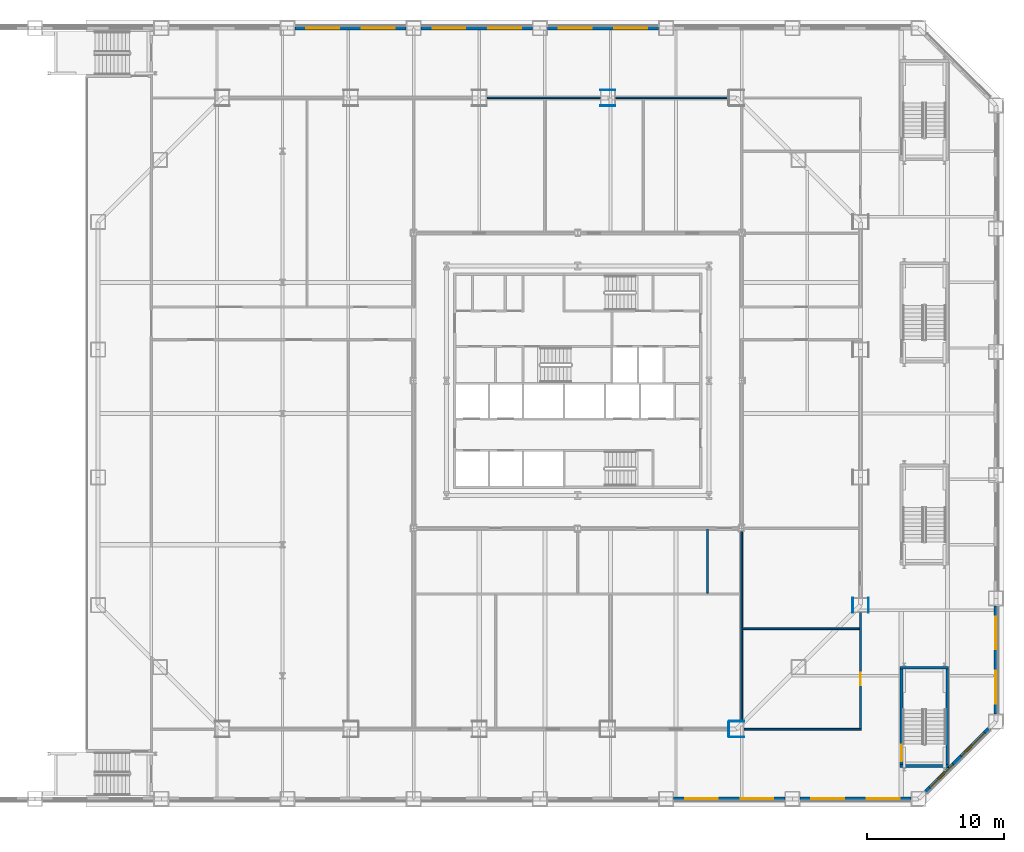
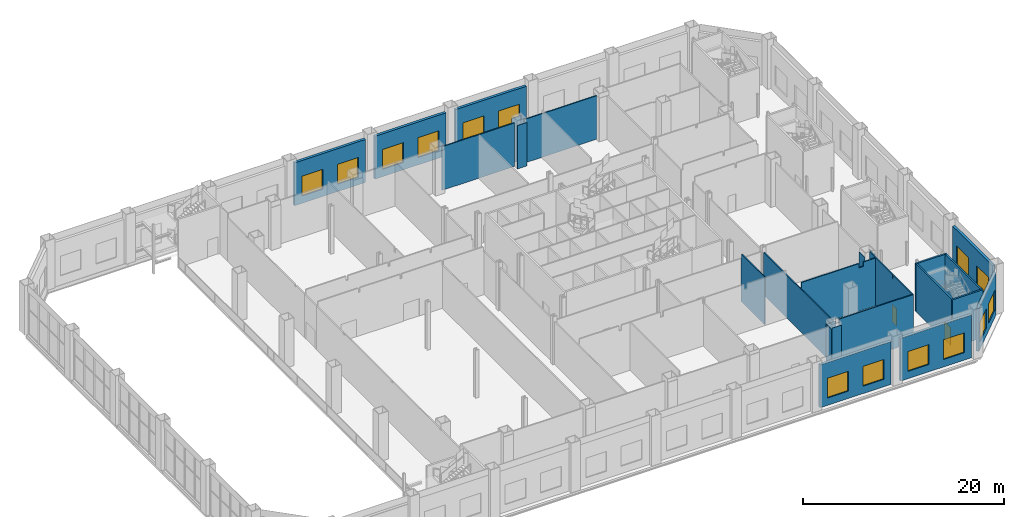
# One storey, part 20 of 31: 25 walls, 14 windows, 2 doors, 16 openings.
"""IFC4 building model written with IfcOpenShell, lengths in metres."""

from ifc_helpers import new_model, si_unit, direction, frame, frame_2d, origin, place, context, subcontext, project, spatial, polyline, rectangle, outline, extrude, material, layer, layer_set, type_object, element, fill, save


model = new_model("IFC4")

# Units and contexts
model_context = context("Model", 3, precision=1e-05, world=origin(), true_north=direction((0.0, 1.0)))
body_context = subcontext(model_context, "Body", "Model", "MODEL_VIEW")
ifc_project = project(units=[si_unit("LENGTHUNIT", "METRE"), si_unit("AREAUNIT", "SQUARE_METRE"), si_unit("VOLUMEUNIT", "CUBIC_METRE"), si_unit("PLANEANGLEUNIT", "RADIAN"), si_unit("MASSUNIT", "GRAM", prefix="KILO")], contexts=[model_context])

# Site, building, storey
site_placement = place(None, origin())
site = spatial("IfcSite", under=ifc_project, at=site_placement, CompositionType="ELEMENT")
building_placement = place(site_placement, origin())
building = spatial("IfcBuilding", under=site, at=building_placement, Name="Cairn Pilgrim Tower", CompositionType="ELEMENT")
storey_placement = place(building_placement, frame((0.0, 0.0, 15.0)))
storey = spatial("IfcBuildingStorey", under=building, at=storey_placement, Name="L02", CompositionType="ELEMENT", Elevation=15.0)

# Wall
ifc_material_1 = material(Name="Gypsum partition")
ifc_layer_1 = layer(ifc_material_1, 0.125)
ifc_layer_set_1 = layer_set([ifc_layer_1], Name="PARTITION 125 DRYWALL EI 60")
wall_type_1 = type_object("IfcWallType", Name="PARTITION 125 DRYWALL EI 60", PredefinedType="PARTITIONING", material=ifc_layer_set_1)
wall_1_placement = place(storey_placement, frame((19.377197265625, -23.10009765625, 0.0), z_axis=(0.0, 0.0, 1.0), x_axis=(1.0, 0.0, 0.0)))
element("IfcWall", 1, at=wall_1_placement, inside=storey, type_object=wall_type_1, Name="PARTITION W013", PredefinedType="PARTITIONING", context=body_context, shape_type="SweptSolid", body=[
    extrude(rectangle(XDim=8.585205078125, YDim=0.125, at=frame_2d((4.29248046875, 0.0))), origin(), (0.0, 0.0, 1.0), 5.800048828125),
])

# Wall, opening, door
wall_2_placement = place(storey_placement, frame((27.89990234375, -23.03759765625, 0.0), z_axis=(0.0, 0.0, 1.0), x_axis=(0.0, 1.0, 0.0)))
wall_2 = element("IfcWall", 2, at=wall_2_placement, inside=storey, type_object=wall_type_1, Name="PARTITION W016", PredefinedType="PARTITIONING", context=body_context, shape_type="SweptSolid", body=[
    extrude(outline(polyline([(0.0, 0.0), (8.46044921875, 0.0), (8.460205078125, 5.800048828125), (3.927490234375, 5.800048828125), (3.925537109375, 5.3798828125), (3.74755859375, 5.3798828125), (3.74560546875, 5.800048828125), (0.0, 5.800048828125), (0.0, 0.0)])), frame((0.0, 0.0625, 0.0), z_axis=(0.0, -1.0, 0.0), x_axis=(1.0, 0.0, 0.0)), (0.0, 0.0, 1.0), 0.125),
])
opening_1_placement = place(wall_2_placement, frame((3.16259765625, 0.0, 0.0)))
opening_1 = element("IfcOpeningElement", 3, at=opening_1_placement, cuts=wall_2, Name="Opening 0219", PredefinedType="OPENING", context=body_context, shape_type="SweptSolid", body=[
    extrude(rectangle(XDim=0.89990234375, YDim=2.10009765625, at=frame_2d((0.449951171875, 1.050048828125))), frame((0.0, 0.072509765625, 0.0), z_axis=(0.0, -1.0, 0.0), x_axis=(1.0, 0.0, 0.0)), (0.0, 0.0, 1.0), 0.14501953125),
])
ifc_material_2 = material(Name="Timber door leaf", Category="wood")
door_type_1 = type_object("IfcDoorType", Name="ROOM DOOR 900x2100 FD30S", OperationType="NOTDEFINED", PredefinedType="DOOR", material=ifc_material_2)
door_1_placement = place(opening_1_placement, frame((0.89990234375, 0.0, 0.0), z_axis=(0.0, 0.0, 1.0), x_axis=(-1.0, 0.0, 0.0)))
door_1 = element("IfcDoor", 4, at=door_1_placement, inside=storey, type_object=door_type_1, Name="DOOR 0219", OperationType="SINGLE_SWING_LEFT", OverallHeight=2.10009765625, OverallWidth=0.89990234375, PredefinedType="DOOR", context=body_context, shape_type="SweptSolid", body=[
    extrude(rectangle(XDim=0.89990234375, YDim=2.10009765625, at=frame_2d((0.449951171875, 1.050048828125))), frame((0.0, 0.02490234375, 0.0), z_axis=(0.0, -1.0, 0.0), x_axis=(1.0, 0.0, 0.0)), (0.0, 0.0, 1.0), 0.050048828125),
])
fill(opening_1, door_1)

# Walls
wall_3_placement = place(storey_placement, frame((19.199951171875, -22.550048828125, 0.0), z_axis=(0.0, 0.0, 1.0), x_axis=(0.0, 1.0, 0.0)))
element("IfcWall", 5, at=wall_3_placement, inside=storey, type_object=wall_type_1, Name="PARTITION W019", PredefinedType="PARTITIONING", context=body_context, shape_type="SweptSolid", body=[
    extrude(rectangle(XDim=13.9130859375, YDim=0.125, at=frame_2d((6.95654296875, 0.0))), origin(), (0.0, 0.0, 1.0), 5.179931640625),
])
wall_4_placement = place(storey_placement, frame((19.262451171875, -15.75, 0.0), z_axis=(0.0, 0.0, 1.0), x_axis=(1.0, 0.0, 0.0)))
element("IfcWall", 6, at=wall_4_placement, inside=storey, type_object=wall_type_1, Name="PARTITION W021", PredefinedType="PARTITIONING", context=body_context, shape_type="SweptSolid", body=[
    extrude(outline(polyline([(0.0, 0.0), (8.574951171875, 0.0), (8.574951171875, 5.800048828125), (7.189208984375, 5.800048828125), (7.187255859375, 5.280029296875), (6.64013671875, 5.280029296875), (6.63818359375, 5.800048828125), (0.08740234375, 5.800048828125), (0.08544921875, 5.179931640625), (0.0, 5.179931640625), (0.0, 0.0)])), frame((0.0, 0.0625, 0.0), z_axis=(0.0, -1.0, 0.0), x_axis=(1.0, 0.0, 0.0)), (0.0, 0.0, 1.0), 0.125),
])
wall_5_placement = place(storey_placement, frame((16.699951171875, -13.137451171875, 0.0), z_axis=(0.0, 0.0, 1.0), x_axis=(0.0, 1.0, 0.0)))
element("IfcWall", 7, at=wall_5_placement, inside=storey, type_object=wall_type_1, Name="PARTITION W025", PredefinedType="PARTITIONING", context=body_context, shape_type="SweptSolid", body=[
    extrude(outline(polyline([(0.0, 0.0), (4.675048828125, 0.0), (4.675048828125, 5.179931640625), (4.58740234375, 5.179931640625), (4.58544921875, 5.800048828125), (0.0, 5.800048828125), (0.0, 0.0)])), frame((0.0, 0.0625, 0.0), z_axis=(0.0, -1.0, 0.0), x_axis=(1.0, 0.0, 0.0)), (0.0, 0.0, 1.0), 0.125),
])
for number, where, z_axis, x_axis, name in (
    (8, (0.550048828125, 23.10009765625, 0.0), (0.0, 0.0, 1.0), (1.0, 0.0, 0.0), "PARTITION W069"),
    (9, (9.963623046875, 23.10009765625, 0.0), (0.0, 0.0, 1.0), (1.0, 0.0, 0.0), "PARTITION W070"),
):
    element("IfcWall", number, at=place(storey_placement, frame(where, z_axis=z_axis, x_axis=x_axis)), inside=storey, type_object=wall_type_1, Name=name, PredefinedType="PARTITIONING", context=body_context, shape_type="SweptSolid", body=[
        extrude(rectangle(XDim=8.3134765625, YDim=0.125, at=frame_2d((4.15673828125, 0.0))), origin(), (0.0, 0.0, 1.0), 5.280029296875),
    ])
ifc_layer_2 = layer(ifc_material_1, 0.050048828125)
ifc_layer_set_2 = layer_set([ifc_layer_2], Name="PARTITION 50 DRYWALL EI 60")
wall_type_2 = type_object("IfcWallType", Name="PARTITION 50 DRYWALL EI 60", PredefinedType="PARTITIONING", material=ifc_layer_set_2)
wall_6_placement = place(storey_placement, frame((18.277099609375, -22.52490234375, 0.0), z_axis=(0.0, 0.0, 1.0), x_axis=(1.0, 0.0, 0.0)))
element("IfcWall", 10, at=wall_6_placement, inside=storey, type_object=wall_type_2, Name="COLUMN CASING WC09", PredefinedType="PARTITIONING", context=body_context, shape_type="SweptSolid", body=[
    extrude(rectangle(XDim=1.10009765625, YDim=0.050048828125, at=frame_2d((0.550048828125, 0.0))), origin(), (0.0, 0.0, 1.0), 5.179931640625),
])
wall_7_placement = place(storey_placement, frame((18.277099609375, -23.675048828125, 0.0), z_axis=(0.0, 0.0, 1.0), x_axis=(1.0, 0.0, 0.0)))
element("IfcWall", 11, at=wall_7_placement, inside=storey, type_object=wall_type_2, Name="COLUMN CASING WC10", PredefinedType="PARTITIONING", context=body_context, shape_type="SweptSolid", body=[
    extrude(rectangle(XDim=1.10009765625, YDim=0.050048828125, at=frame_2d((0.550048828125, 0.0))), origin(), (0.0, 0.0, 1.0), 5.419921875),
])
for number, where, z_axis, x_axis, name in (
    (12, (18.252197265625, -23.64990234375, 0.0), (0.0, 0.0, 1.0), (0.0, 1.0, 0.0), "COLUMN CASING WC14"),
    (13, (27.324951171875, -14.5771484375, 0.0), (0.0, 0.0, 1.0), (0.0, 1.0, 0.0), "COLUMN CASING WC16"),
    (14, (28.47509765625, -14.5771484375, 0.0), (0.0, 0.0, 1.0), (0.0, 1.0, 0.0), "COLUMN CASING WC17"),
):
    element("IfcWall", number, at=place(storey_placement, frame(where, z_axis=z_axis, x_axis=x_axis)), inside=storey, type_object=wall_type_2, Name=name, PredefinedType="PARTITIONING", context=body_context, shape_type="SweptSolid", body=[
        extrude(rectangle(XDim=1.099853515625, YDim=0.050048828125, at=frame_2d((0.5498046875, 0.0))), origin(), (0.0, 0.0, 1.0), 5.280029296875),
    ])
wall_8_placement = place(storey_placement, frame((8.863525390625, 22.52490234375, 0.0), z_axis=(0.0, 0.0, 1.0), x_axis=(1.0, 0.0, 0.0)))
element("IfcWall", 15, at=wall_8_placement, inside=storey, type_object=wall_type_2, Name="COLUMN CASING WC42", PredefinedType="PARTITIONING", context=body_context, shape_type="SweptSolid", body=[
    extrude(rectangle(XDim=1.10009765625, YDim=0.050048828125, at=frame_2d((0.550048828125, 0.0))), origin(), (0.0, 0.0, 1.0), 5.280029296875),
])
wall_9_placement = place(storey_placement, frame((8.863525390625, 23.675048828125, 0.0), z_axis=(0.0, 0.0, 1.0), x_axis=(1.0, 0.0, 0.0)))
element("IfcWall", 16, at=wall_9_placement, inside=storey, type_object=wall_type_2, Name="COLUMN CASING WC43", PredefinedType="PARTITIONING", context=body_context, shape_type="SweptSolid", body=[
    extrude(rectangle(XDim=1.10009765625, YDim=0.050048828125, at=frame_2d((0.550048828125, 0.0))), origin(), (0.0, 0.0, 1.0), 5.419921875),
])
ifc_material_3 = material(Name="Concrete C35/45", Category="concrete")
ifc_layer_3 = layer(ifc_material_3, 0.199951171875)
ifc_layer_set_3 = layer_set([ifc_layer_3], Name="PODIUM STAIR WALL 200 EI 120")
wall_type_3 = type_object("IfcWallType", Name="PODIUM STAIR WALL 200 EI 120", PredefinedType="SOLIDWALL", material=ifc_layer_set_3)
wall_10_placement = place(storey_placement, frame((30.800048828125, -25.800048828125, 0.0), z_axis=(0.0, 0.0, 1.0), x_axis=(1.0, 0.0, 0.0)))
element("IfcWall", 17, at=wall_10_placement, inside=storey, type_object=wall_type_3, Name="STAIR SHAFT WALL W002", PredefinedType="SOLIDWALL", context=body_context, shape_type="SweptSolid", body=[
    extrude(rectangle(XDim=3.550048828125, YDim=0.199951171875, at=frame_2d((1.77490234375, 0.0))), origin(), (0.0, 0.0, 1.0), 5.800048828125),
])

# Wall, opening, door
wall_11_placement = place(storey_placement, frame((30.89990234375, -25.699951171875, 0.0), z_axis=(0.0, 0.0, 1.0), x_axis=(0.0, 1.0, 0.0)))
wall_11 = element("IfcWall", 18, at=wall_11_placement, inside=storey, type_object=wall_type_3, Name="STAIR SHAFT WALL W003", PredefinedType="SOLIDWALL", context=body_context, shape_type="SweptSolid", body=[
    extrude(rectangle(XDim=7.0, YDim=0.199951171875, at=frame_2d((3.5, 0.0))), origin(), (0.0, 0.0, 1.0), 5.800048828125),
])
opening_2_placement = place(wall_11_placement, frame((0.25, 0.0, 0.0)))
opening_2 = element("IfcOpeningElement", 19, at=opening_2_placement, cuts=wall_11, Name="Opening 0225", PredefinedType="OPENING", context=body_context, shape_type="SweptSolid", body=[
    extrude(rectangle(XDim=1.199951171875, YDim=2.10009765625, at=frame_2d((0.60009765625, 1.050048828125))), frame((0.0, 0.10986328125, 0.0), z_axis=(0.0, -1.0, 0.0), x_axis=(1.0, 0.0, 0.0)), (0.0, 0.0, 1.0), 0.219970703125),
])
ifc_material_4 = material(Name="Steel-faced fire door leaf", Category="steel")
door_type_2 = type_object("IfcDoorType", Name="FIRE DOOR 1200x2100 FD60S", OperationType="NOTDEFINED", PredefinedType="DOOR", material=ifc_material_4)
door_2_placement = place(opening_2_placement, frame((1.199951171875, 0.0, 0.0), z_axis=(0.0, 0.0, 1.0), x_axis=(-1.0, 0.0, 0.0)))
door_2 = element("IfcDoor", 20, at=door_2_placement, inside=storey, type_object=door_type_2, Name="DOOR 0225", OperationType="SINGLE_SWING_RIGHT", OverallHeight=2.10009765625, OverallWidth=1.199951171875, PredefinedType="DOOR", context=body_context, shape_type="SweptSolid", body=[
    extrude(rectangle(XDim=1.199951171875, YDim=2.10009765625, at=frame_2d((0.60009765625, 1.050048828125))), frame((0.0, 0.02490234375, 0.0), z_axis=(0.0, -1.0, 0.0), x_axis=(1.0, 0.0, 0.0)), (0.0, 0.0, 1.0), 0.050048828125),
])
fill(opening_2, door_2)

# Walls
wall_12_placement = place(storey_placement, frame((34.25, -25.699951171875, 0.0), z_axis=(0.0, 0.0, 1.0), x_axis=(0.0, 1.0, 0.0)))
element("IfcWall", 21, at=wall_12_placement, inside=storey, type_object=wall_type_3, Name="STAIR SHAFT WALL W004", PredefinedType="SOLIDWALL", context=body_context, shape_type="SweptSolid", body=[
    extrude(rectangle(XDim=7.0, YDim=0.199951171875, at=frame_2d((3.5, 0.0))), origin(), (0.0, 0.0, 1.0), 5.800048828125),
])
wall_13_placement = place(storey_placement, frame((30.800048828125, -18.60009765625, 0.0), z_axis=(0.0, 0.0, 1.0), x_axis=(1.0, 0.0, 0.0)))
element("IfcWall", 22, at=wall_13_placement, inside=storey, type_object=wall_type_3, Name="STAIR SHAFT WALL W020", PredefinedType="SOLIDWALL", context=body_context, shape_type="SweptSolid", body=[
    extrude(rectangle(XDim=3.550048828125, YDim=0.199951171875, at=frame_2d((1.77490234375, 0.0))), origin(), (0.0, 0.0, 1.0), 5.800048828125),
])

# Wall, openings, windows
ifc_material_5 = material(Name="Concrete C35/45 backup wall with bronze aluminium cladding", Category="concrete")
ifc_layer_4 = layer(ifc_material_5, 0.300048828125)
ifc_layer_set_4 = layer_set([ifc_layer_4], Name="PODIUM WALL 300 BRONZE-CLAD")
wall_type_4 = type_object("IfcWallType", Name="PODIUM WALL 300 BRONZE-CLAD", PredefinedType="SOLIDWALL", material=ifc_layer_set_4)
wall_14_placement = place(storey_placement, frame((14.2255859375, -28.199951171875, 0.0), z_axis=(0.0, 0.0, 1.0), x_axis=(1.0, 0.0, 0.0)))
wall_14 = element("IfcWall", 23, at=wall_14_placement, inside=storey, type_object=wall_type_4, Name="PODIUM EXTERNAL WALL S7-S8", PredefinedType="SOLIDWALL", context=body_context, shape_type="SweptSolid", body=[
    extrude(rectangle(XDim=8.137939453125, YDim=0.300048828125, at=frame_2d((4.06884765625, 0.0))), origin(), (0.0, 0.0, 1.0), 5.199951171875),
])
opening_3_placement = place(wall_14_placement, frame((0.83447265625, 0.0, 0.89990234375)))
opening_3 = element("IfcOpeningElement", 24, at=opening_3_placement, cuts=wall_14, Name="Opening PW24", PredefinedType="OPENING", context=body_context, shape_type="SweptSolid", body=[
    extrude(rectangle(XDim=2.39990234375, YDim=2.39990234375, at=frame_2d((1.199951171875, 1.199951171875))), frame((0.0, 0.16015625, 0.0), z_axis=(0.0, -1.0, 0.0), x_axis=(1.0, 0.0, 0.0)), (0.0, 0.0, 1.0), 0.320068359375),
])
opening_4_placement = place(wall_14_placement, frame((4.9033203125, 0.0, 0.89990234375)))
opening_4 = element("IfcOpeningElement", 25, at=opening_4_placement, cuts=wall_14, Name="Opening PW24", PredefinedType="OPENING", context=body_context, shape_type="SweptSolid", body=[
    extrude(rectangle(XDim=2.39990234375, YDim=2.39990234375, at=frame_2d((1.199951171875, 1.199951171875))), frame((0.0, 0.16015625, 0.0), z_axis=(0.0, -1.0, 0.0), x_axis=(1.0, 0.0, 0.0)), (0.0, 0.0, 1.0), 0.320068359375),
])
ifc_material_6 = material(Name="Bronze anodised aluminium frame with tinted low-E glass", Category="aluminium")
window_type = type_object("IfcWindowType", Name="PODIUM FIXED WINDOW 2400x2400", PartitioningType="SINGLE_PANEL", PredefinedType="WINDOW", material=ifc_material_6)
window_1_placement = place(opening_3_placement, origin())
window_1 = element("IfcWindow", 26, at=window_1_placement, inside=storey, type_object=window_type, Name="PODIUM WINDOW", OverallHeight=2.39990234375, OverallWidth=2.39990234375, PartitioningType="SINGLE_PANEL", PredefinedType="WINDOW", context=body_context, shape_type="SweptSolid", body=[
    extrude(rectangle(XDim=2.39990234375, YDim=2.39990234375, at=frame_2d((1.199951171875, 1.199951171875))), frame((0.0, 0.030029296875, 0.0), z_axis=(0.0, -1.0, 0.0), x_axis=(1.0, 0.0, 0.0)), (0.0, 0.0, 1.0), 0.06005859375),
])
fill(opening_3, window_1)
window_2_placement = place(opening_4_placement, origin())
window_2 = element("IfcWindow", 27, at=window_2_placement, inside=storey, type_object=window_type, Name="PODIUM WINDOW", OverallHeight=2.39990234375, OverallWidth=2.39990234375, PartitioningType="SINGLE_PANEL", PredefinedType="WINDOW", context=body_context, shape_type="SweptSolid", body=[
    extrude(rectangle(XDim=2.39990234375, YDim=2.39990234375, at=frame_2d((1.199951171875, 1.199951171875))), frame((0.0, 0.030029296875, 0.0), z_axis=(0.0, -1.0, 0.0), x_axis=(1.0, 0.0, 0.0)), (0.0, 0.0, 1.0), 0.06005859375),
])
fill(opening_4, window_2)

wall_15_placement = place(storey_placement, frame((23.463623046875, -28.199951171875, 0.0), z_axis=(0.0, 0.0, 1.0), x_axis=(1.0, 0.0, 0.0)))
wall_15 = element("IfcWall", 28, at=wall_15_placement, inside=storey, type_object=wall_type_4, Name="PODIUM EXTERNAL WALL S8-SE1", PredefinedType="SOLIDWALL", context=body_context, shape_type="SweptSolid", body=[
    extrude(rectangle(XDim=8.137939453125, YDim=0.300048828125, at=frame_2d((4.06884765625, 0.0))), origin(), (0.0, 0.0, 1.0), 5.199951171875),
])
opening_5_placement = place(wall_15_placement, frame((0.83447265625, 0.0, 0.89990234375)))
opening_5 = element("IfcOpeningElement", 29, at=opening_5_placement, cuts=wall_15, Name="Opening PW24", PredefinedType="OPENING", context=body_context, shape_type="SweptSolid", body=[
    extrude(rectangle(XDim=2.39990234375, YDim=2.39990234375, at=frame_2d((1.199951171875, 1.199951171875))), frame((0.0, 0.16015625, 0.0), z_axis=(0.0, -1.0, 0.0), x_axis=(1.0, 0.0, 0.0)), (0.0, 0.0, 1.0), 0.320068359375),
])
opening_6_placement = place(wall_15_placement, frame((4.9033203125, 0.0, 0.89990234375)))
opening_6 = element("IfcOpeningElement", 30, at=opening_6_placement, cuts=wall_15, Name="Opening PW24", PredefinedType="OPENING", context=body_context, shape_type="SweptSolid", body=[
    extrude(rectangle(XDim=2.39990234375, YDim=2.39990234375, at=frame_2d((1.199951171875, 1.199951171875))), frame((0.0, 0.16015625, 0.0), z_axis=(0.0, -1.0, 0.0), x_axis=(1.0, 0.0, 0.0)), (0.0, 0.0, 1.0), 0.320068359375),
])
window_3_placement = place(opening_5_placement, origin())
window_3 = element("IfcWindow", 31, at=window_3_placement, inside=storey, type_object=window_type, Name="PODIUM WINDOW", OverallHeight=2.39990234375, OverallWidth=2.39990234375, PartitioningType="SINGLE_PANEL", PredefinedType="WINDOW", context=body_context, shape_type="SweptSolid", body=[
    extrude(rectangle(XDim=2.39990234375, YDim=2.39990234375, at=frame_2d((1.199951171875, 1.199951171875))), frame((0.0, 0.030029296875, 0.0), z_axis=(0.0, -1.0, 0.0), x_axis=(1.0, 0.0, 0.0)), (0.0, 0.0, 1.0), 0.06005859375),
])
fill(opening_5, window_3)
window_4_placement = place(opening_6_placement, origin())
window_4 = element("IfcWindow", 32, at=window_4_placement, inside=storey, type_object=window_type, Name="PODIUM WINDOW", OverallHeight=2.39990234375, OverallWidth=2.39990234375, PartitioningType="SINGLE_PANEL", PredefinedType="WINDOW", context=body_context, shape_type="SweptSolid", body=[
    extrude(rectangle(XDim=2.39990234375, YDim=2.39990234375, at=frame_2d((1.199951171875, 1.199951171875))), frame((0.0, 0.030029296875, 0.0), z_axis=(0.0, -1.0, 0.0), x_axis=(1.0, 0.0, 0.0)), (0.0, 0.0, 1.0), 0.06005859375),
])
fill(opening_6, window_4)

wall_16_placement = place(storey_placement, frame((32.6748046875, -27.6767578125, 0.0), z_axis=(0.0, 0.0, 1.0), x_axis=(0.707088024292, 0.707125537583, 0.0)))
wall_16 = element("IfcWall", 33, at=wall_16_placement, inside=storey, type_object=wall_type_4, Name="PODIUM EXTERNAL WALL SE1-E1", PredefinedType="SOLIDWALL", context=body_context, shape_type="SweptSolid", body=[
    extrude(rectangle(XDim=6.508056640625, YDim=0.300048828125, at=frame_2d((3.25390625, 0.0))), origin(), (0.0, 0.0, 1.0), 5.199951171875),
])
opening_7_placement = place(wall_16_placement, frame((0.427001953125, 0.0, 0.89990234375)))
opening_7 = element("IfcOpeningElement", 34, at=opening_7_placement, cuts=wall_16, Name="Opening PW24", PredefinedType="OPENING", context=body_context, shape_type="SweptSolid", body=[
    extrude(rectangle(XDim=2.39990234375, YDim=2.39990234375, at=frame_2d((1.199951171875, 1.199951171875))), frame((0.0, 0.16015625, 0.0), z_axis=(0.0, -1.0, 0.0), x_axis=(1.0, 0.0, 0.0)), (0.0, 0.0, 1.0), 0.320068359375),
])
opening_8_placement = place(wall_16_placement, frame((3.68115234375, 0.0, 0.89990234375)))
opening_8 = element("IfcOpeningElement", 35, at=opening_8_placement, cuts=wall_16, Name="Opening PW24", PredefinedType="OPENING", context=body_context, shape_type="SweptSolid", body=[
    extrude(rectangle(XDim=2.39990234375, YDim=2.39990234375, at=frame_2d((1.199951171875, 1.199951171875))), frame((0.0, 0.16015625, 0.0), z_axis=(0.0, -1.0, 0.0), x_axis=(1.0, 0.0, 0.0)), (0.0, 0.0, 1.0), 0.320068359375),
])
window_5_placement = place(opening_7_placement, origin())
window_5 = element("IfcWindow", 36, at=window_5_placement, inside=storey, type_object=window_type, Name="PODIUM WINDOW", OverallHeight=2.39990234375, OverallWidth=2.39990234375, PartitioningType="SINGLE_PANEL", PredefinedType="WINDOW", context=body_context, shape_type="SweptSolid", body=[
    extrude(rectangle(XDim=2.39990234375, YDim=2.39990234375, at=frame_2d((1.199951171875, 1.199951171875))), frame((0.0, 0.030029296875, 0.0), z_axis=(0.0, -1.0, 0.0), x_axis=(1.0, 0.0, 0.0)), (0.0, 0.0, 1.0), 0.06005859375),
])
fill(opening_7, window_5)
window_6_placement = place(opening_8_placement, origin())
window_6 = element("IfcWindow", 37, at=window_6_placement, inside=storey, type_object=window_type, Name="PODIUM WINDOW", OverallHeight=2.39990234375, OverallWidth=2.39990234375, PartitioningType="SINGLE_PANEL", PredefinedType="WINDOW", context=body_context, shape_type="SweptSolid", body=[
    extrude(rectangle(XDim=2.39990234375, YDim=2.39990234375, at=frame_2d((1.199951171875, 1.199951171875))), frame((0.0, 0.030029296875, 0.0), z_axis=(0.0, -1.0, 0.0), x_axis=(1.0, 0.0, 0.0)), (0.0, 0.0, 1.0), 0.06005859375),
])
fill(opening_8, window_6)

wall_17_placement = place(storey_placement, frame((37.800048828125, -22.00146484375, 0.0), z_axis=(0.0, 0.0, 1.0), x_axis=(0.0, 1.0, 0.0)))
wall_17 = element("IfcWall", 38, at=wall_17_placement, inside=storey, type_object=wall_type_4, Name="PODIUM EXTERNAL WALL E1-E2", PredefinedType="SOLIDWALL", context=body_context, shape_type="SweptSolid", body=[
    extrude(rectangle(XDim=7.920654296875, YDim=0.300048828125, at=frame_2d((3.96044921875, 0.0))), origin(), (0.0, 0.0, 1.0), 5.199951171875),
])
opening_9_placement = place(wall_17_placement, frame((0.780029296875, 0.0, 0.89990234375)))
opening_9 = element("IfcOpeningElement", 39, at=opening_9_placement, cuts=wall_17, Name="Opening PW24", PredefinedType="OPENING", context=body_context, shape_type="SweptSolid", body=[
    extrude(rectangle(XDim=2.39990234375, YDim=2.39990234375, at=frame_2d((1.199951171875, 1.199951171875))), frame((0.0, 0.16015625, 0.0), z_axis=(0.0, -1.0, 0.0), x_axis=(1.0, 0.0, 0.0)), (0.0, 0.0, 1.0), 0.320068359375),
])
opening_10_placement = place(wall_17_placement, frame((4.740478515625, 0.0, 0.89990234375)))
opening_10 = element("IfcOpeningElement", 40, at=opening_10_placement, cuts=wall_17, Name="Opening PW24", PredefinedType="OPENING", context=body_context, shape_type="SweptSolid", body=[
    extrude(rectangle(XDim=2.39990234375, YDim=2.39990234375, at=frame_2d((1.199951171875, 1.199951171875))), frame((0.0, 0.16015625, 0.0), z_axis=(0.0, -1.0, 0.0), x_axis=(1.0, 0.0, 0.0)), (0.0, 0.0, 1.0), 0.320068359375),
])
window_7_placement = place(opening_9_placement, origin())
window_7 = element("IfcWindow", 41, at=window_7_placement, inside=storey, type_object=window_type, Name="PODIUM WINDOW", OverallHeight=2.39990234375, OverallWidth=2.39990234375, PartitioningType="SINGLE_PANEL", PredefinedType="WINDOW", context=body_context, shape_type="SweptSolid", body=[
    extrude(rectangle(XDim=2.39990234375, YDim=2.39990234375, at=frame_2d((1.199951171875, 1.199951171875))), frame((0.0, 0.030029296875, 0.0), z_axis=(0.0, -1.0, 0.0), x_axis=(1.0, 0.0, 0.0)), (0.0, 0.0, 1.0), 0.06005859375),
])
fill(opening_9, window_7)
window_8_placement = place(opening_10_placement, origin())
window_8 = element("IfcWindow", 42, at=window_8_placement, inside=storey, type_object=window_type, Name="PODIUM WINDOW", OverallHeight=2.39990234375, OverallWidth=2.39990234375, PartitioningType="SINGLE_PANEL", PredefinedType="WINDOW", context=body_context, shape_type="SweptSolid", body=[
    extrude(rectangle(XDim=2.39990234375, YDim=2.39990234375, at=frame_2d((1.199951171875, 1.199951171875))), frame((0.0, 0.030029296875, 0.0), z_axis=(0.0, -1.0, 0.0), x_axis=(1.0, 0.0, 0.0)), (0.0, 0.0, 1.0), 0.06005859375),
])
fill(opening_10, window_8)

wall_18_placement = place(storey_placement, frame((13.125732421875, 28.199951171875, 0.0), z_axis=(0.0, 0.0, 1.0), x_axis=(-1.0, 0.0, 0.0)))
wall_18 = element("IfcWall", 43, at=wall_18_placement, inside=storey, type_object=wall_type_4, Name="PODIUM EXTERNAL WALL N3-N4", PredefinedType="SOLIDWALL", context=body_context, shape_type="SweptSolid", body=[
    extrude(rectangle(XDim=8.137939453125, YDim=0.300048828125, at=frame_2d((4.06884765625, 0.0))), origin(), (0.0, 0.0, 1.0), 5.199951171875),
])
opening_11_placement = place(wall_18_placement, frame((0.83447265625, 0.0, 0.89990234375)))
opening_11 = element("IfcOpeningElement", 44, at=opening_11_placement, cuts=wall_18, Name="Opening PW24", PredefinedType="OPENING", context=body_context, shape_type="SweptSolid", body=[
    extrude(rectangle(XDim=2.39990234375, YDim=2.39990234375, at=frame_2d((1.199951171875, 1.199951171875))), frame((0.0, 0.16015625, 0.0), z_axis=(0.0, -1.0, 0.0), x_axis=(1.0, 0.0, 0.0)), (0.0, 0.0, 1.0), 0.320068359375),
])
opening_12_placement = place(wall_18_placement, frame((4.9033203125, 0.0, 0.89990234375)))
opening_12 = element("IfcOpeningElement", 45, at=opening_12_placement, cuts=wall_18, Name="Opening PW24", PredefinedType="OPENING", context=body_context, shape_type="SweptSolid", body=[
    extrude(rectangle(XDim=2.39990234375, YDim=2.39990234375, at=frame_2d((1.199951171875, 1.199951171875))), frame((0.0, 0.16015625, 0.0), z_axis=(0.0, -1.0, 0.0), x_axis=(1.0, 0.0, 0.0)), (0.0, 0.0, 1.0), 0.320068359375),
])
window_9_placement = place(opening_11_placement, origin())
window_9 = element("IfcWindow", 46, at=window_9_placement, inside=storey, type_object=window_type, Name="PODIUM WINDOW", OverallHeight=2.39990234375, OverallWidth=2.39990234375, PartitioningType="SINGLE_PANEL", PredefinedType="WINDOW", context=body_context, shape_type="SweptSolid", body=[
    extrude(rectangle(XDim=2.39990234375, YDim=2.39990234375, at=frame_2d((1.199951171875, 1.199951171875))), frame((0.0, 0.030029296875, 0.0), z_axis=(0.0, -1.0, 0.0), x_axis=(1.0, 0.0, 0.0)), (0.0, 0.0, 1.0), 0.06005859375),
])
fill(opening_11, window_9)
window_10_placement = place(opening_12_placement, origin())
window_10 = element("IfcWindow", 47, at=window_10_placement, inside=storey, type_object=window_type, Name="PODIUM WINDOW", OverallHeight=2.39990234375, OverallWidth=2.39990234375, PartitioningType="SINGLE_PANEL", PredefinedType="WINDOW", context=body_context, shape_type="SweptSolid", body=[
    extrude(rectangle(XDim=2.39990234375, YDim=2.39990234375, at=frame_2d((1.199951171875, 1.199951171875))), frame((0.0, 0.030029296875, 0.0), z_axis=(0.0, -1.0, 0.0), x_axis=(1.0, 0.0, 0.0)), (0.0, 0.0, 1.0), 0.06005859375),
])
fill(opening_12, window_10)

wall_19_placement = place(storey_placement, frame((3.887939453125, 28.199951171875, 0.0), z_axis=(0.0, 0.0, 1.0), x_axis=(-1.0, 0.0, 0.0)))
wall_19 = element("IfcWall", 48, at=wall_19_placement, inside=storey, type_object=wall_type_4, Name="PODIUM EXTERNAL WALL N4-N5", PredefinedType="SOLIDWALL", context=body_context, shape_type="SweptSolid", body=[
    extrude(rectangle(XDim=8.137939453125, YDim=0.300048828125, at=frame_2d((4.06884765625, 0.0))), origin(), (0.0, 0.0, 1.0), 5.199951171875),
])
opening_13_placement = place(wall_19_placement, frame((0.83447265625, 0.0, 0.89990234375)))
opening_13 = element("IfcOpeningElement", 49, at=opening_13_placement, cuts=wall_19, Name="Opening PW24", PredefinedType="OPENING", context=body_context, shape_type="SweptSolid", body=[
    extrude(rectangle(XDim=2.39990234375, YDim=2.39990234375, at=frame_2d((1.199951171875, 1.199951171875))), frame((0.0, 0.16015625, 0.0), z_axis=(0.0, -1.0, 0.0), x_axis=(1.0, 0.0, 0.0)), (0.0, 0.0, 1.0), 0.320068359375),
])
opening_14_placement = place(wall_19_placement, frame((4.9033203125, 0.0, 0.89990234375)))
opening_14 = element("IfcOpeningElement", 50, at=opening_14_placement, cuts=wall_19, Name="Opening PW24", PredefinedType="OPENING", context=body_context, shape_type="SweptSolid", body=[
    extrude(rectangle(XDim=2.39990234375, YDim=2.39990234375, at=frame_2d((1.199951171875, 1.199951171875))), frame((0.0, 0.16015625, 0.0), z_axis=(0.0, -1.0, 0.0), x_axis=(1.0, 0.0, 0.0)), (0.0, 0.0, 1.0), 0.320068359375),
])
window_11_placement = place(opening_13_placement, origin())
window_11 = element("IfcWindow", 51, at=window_11_placement, inside=storey, type_object=window_type, Name="PODIUM WINDOW", OverallHeight=2.39990234375, OverallWidth=2.39990234375, PartitioningType="SINGLE_PANEL", PredefinedType="WINDOW", context=body_context, shape_type="SweptSolid", body=[
    extrude(rectangle(XDim=2.39990234375, YDim=2.39990234375, at=frame_2d((1.199951171875, 1.199951171875))), frame((0.0, 0.030029296875, 0.0), z_axis=(0.0, -1.0, 0.0), x_axis=(1.0, 0.0, 0.0)), (0.0, 0.0, 1.0), 0.06005859375),
])
fill(opening_13, window_11)
window_12_placement = place(opening_14_placement, origin())
window_12 = element("IfcWindow", 52, at=window_12_placement, inside=storey, type_object=window_type, Name="PODIUM WINDOW", OverallHeight=2.39990234375, OverallWidth=2.39990234375, PartitioningType="SINGLE_PANEL", PredefinedType="WINDOW", context=body_context, shape_type="SweptSolid", body=[
    extrude(rectangle(XDim=2.39990234375, YDim=2.39990234375, at=frame_2d((1.199951171875, 1.199951171875))), frame((0.0, 0.030029296875, 0.0), z_axis=(0.0, -1.0, 0.0), x_axis=(1.0, 0.0, 0.0)), (0.0, 0.0, 1.0), 0.06005859375),
])
fill(opening_14, window_12)

wall_20_placement = place(storey_placement, frame((-5.35009765625, 28.199951171875, 0.0), z_axis=(0.0, 0.0, 1.0), x_axis=(-1.0, 0.0, 0.0)))
wall_20 = element("IfcWall", 53, at=wall_20_placement, inside=storey, type_object=wall_type_4, Name="PODIUM EXTERNAL WALL N5-N6", PredefinedType="SOLIDWALL", context=body_context, shape_type="SweptSolid", body=[
    extrude(rectangle(XDim=8.1376953125, YDim=0.300048828125, at=frame_2d((4.06884765625, 0.0))), origin(), (0.0, 0.0, 1.0), 5.199951171875),
])
opening_15_placement = place(wall_20_placement, frame((0.83447265625, 0.0, 0.89990234375)))
opening_15 = element("IfcOpeningElement", 54, at=opening_15_placement, cuts=wall_20, Name="Opening PW24", PredefinedType="OPENING", context=body_context, shape_type="SweptSolid", body=[
    extrude(rectangle(XDim=2.39990234375, YDim=2.39990234375, at=frame_2d((1.199951171875, 1.199951171875))), frame((0.0, 0.16015625, 0.0), z_axis=(0.0, -1.0, 0.0), x_axis=(1.0, 0.0, 0.0)), (0.0, 0.0, 1.0), 0.320068359375),
])
opening_16_placement = place(wall_20_placement, frame((4.9033203125, 0.0, 0.89990234375)))
opening_16 = element("IfcOpeningElement", 55, at=opening_16_placement, cuts=wall_20, Name="Opening PW24", PredefinedType="OPENING", context=body_context, shape_type="SweptSolid", body=[
    extrude(rectangle(XDim=2.39990234375, YDim=2.39990234375, at=frame_2d((1.199951171875, 1.199951171875))), frame((0.0, 0.16015625, 0.0), z_axis=(0.0, -1.0, 0.0), x_axis=(1.0, 0.0, 0.0)), (0.0, 0.0, 1.0), 0.320068359375),
])
window_13_placement = place(opening_15_placement, origin())
window_13 = element("IfcWindow", 56, at=window_13_placement, inside=storey, type_object=window_type, Name="PODIUM WINDOW", OverallHeight=2.39990234375, OverallWidth=2.39990234375, PartitioningType="SINGLE_PANEL", PredefinedType="WINDOW", context=body_context, shape_type="SweptSolid", body=[
    extrude(rectangle(XDim=2.39990234375, YDim=2.39990234375, at=frame_2d((1.199951171875, 1.199951171875))), frame((0.0, 0.030029296875, 0.0), z_axis=(0.0, -1.0, 0.0), x_axis=(1.0, 0.0, 0.0)), (0.0, 0.0, 1.0), 0.06005859375),
])
fill(opening_15, window_13)
window_14_placement = place(opening_16_placement, origin())
window_14 = element("IfcWindow", 57, at=window_14_placement, inside=storey, type_object=window_type, Name="PODIUM WINDOW", OverallHeight=2.39990234375, OverallWidth=2.39990234375, PartitioningType="SINGLE_PANEL", PredefinedType="WINDOW", context=body_context, shape_type="SweptSolid", body=[
    extrude(rectangle(XDim=2.39990234375, YDim=2.39990234375, at=frame_2d((1.199951171875, 1.199951171875))), frame((0.0, 0.030029296875, 0.0), z_axis=(0.0, -1.0, 0.0), x_axis=(1.0, 0.0, 0.0)), (0.0, 0.0, 1.0), 0.06005859375),
])
fill(opening_16, window_14)

save(model, "model.ifc")
